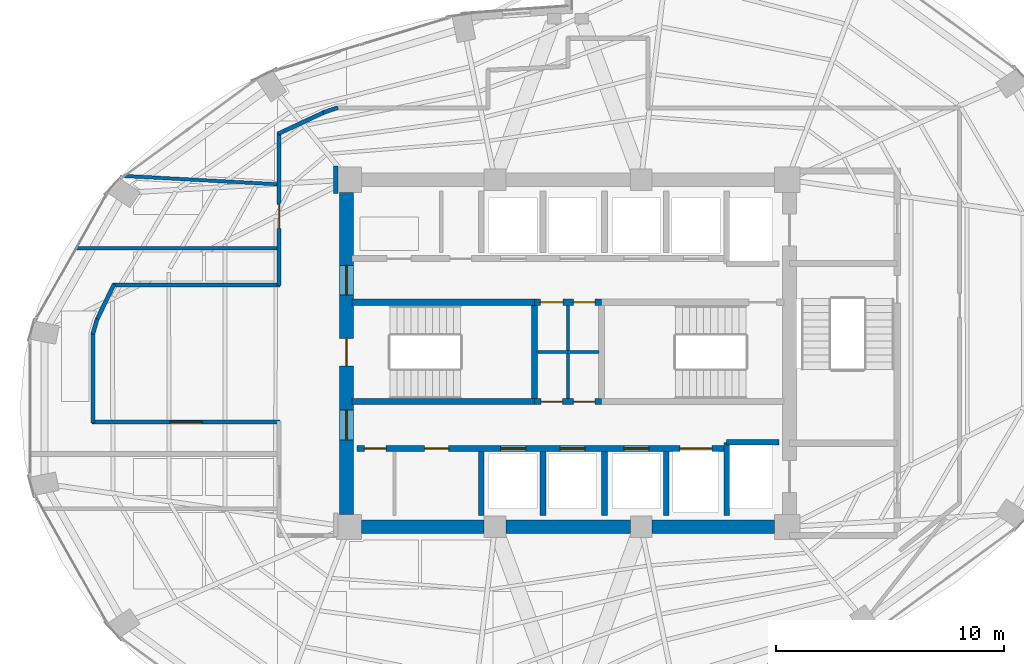
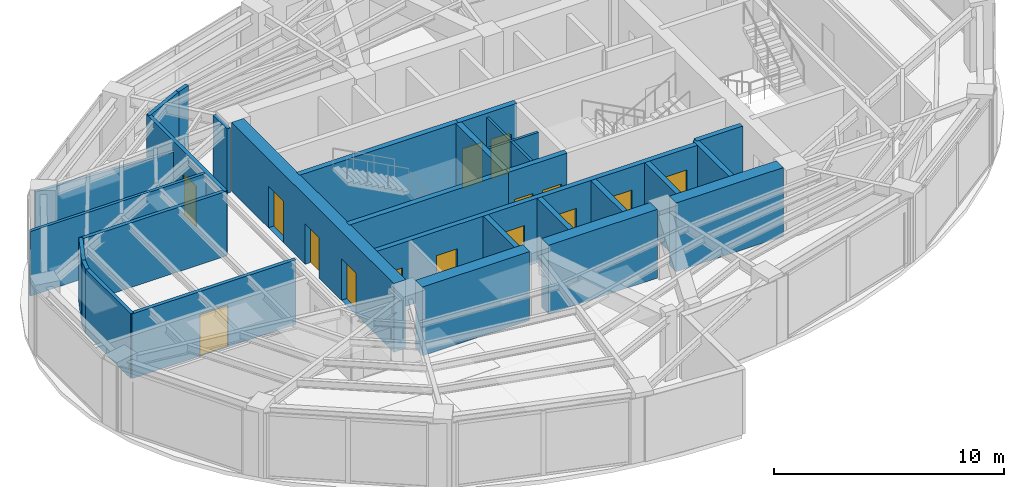
# One storey, part 16 of 20: 29 walls, 15 doors, 15 openings.
"""IFC4 building model written with IfcOpenShell, lengths in metres."""

from ifc_helpers import new_model, si_unit, direction, frame, frame_2d, origin, place, context, subcontext, project, spatial, rectangle, extrude, material, layer, layer_set, type_object, element, fill, save


model = new_model("IFC4")

# Units and contexts
model_context = context("Model", 3, precision=1e-05, world=origin(), true_north=direction((0.0, 1.0)))
body_context = subcontext(model_context, "Body", "Model", "MODEL_VIEW")
ifc_project = project(units=[si_unit("LENGTHUNIT", "METRE"), si_unit("AREAUNIT", "SQUARE_METRE"), si_unit("VOLUMEUNIT", "CUBIC_METRE"), si_unit("PLANEANGLEUNIT", "RADIAN"), si_unit("MASSUNIT", "GRAM", prefix="KILO")], contexts=[model_context])

# Site, building, storey
site_placement = place(None, origin())
site = spatial("IfcSite", under=ifc_project, at=site_placement, CompositionType="ELEMENT")
building_placement = place(site_placement, origin())
building = spatial("IfcBuilding", under=site, at=building_placement, Name="Lazwardi Medical Tower", CompositionType="ELEMENT")
storey_placement = place(building_placement, frame((0.0, 0.0, 182.06396484375)))
storey = spatial("IfcBuildingStorey", under=building, at=storey_placement, Name="L47", CompositionType="ELEMENT", Elevation=182.06396484375)

# Walls
ifc_material_1 = material(Name="Fire-rated gypsum board on steel stud", Category="steel")
ifc_layer_1 = layer(ifc_material_1, 0.179931640625)
ifc_layer_set_1 = layer_set([ifc_layer_1], Name="Fire-rated gypsum board on steel stud")
wall_type_1 = type_object("IfcWallType", Name="WL-COR-180", PredefinedType="PARTITIONING", material=ifc_layer_set_1)
wall_1_placement = place(storey_placement, frame((15.350341796875, 29.435791015625, 0.0), z_axis=(0.0, 0.0, 1.0), x_axis=(0.436196025907, 0.899851669434, 0.0)))
element("IfcWall", 1, at=wall_1_placement, inside=storey, type_object=wall_type_1, Name="L47 Corridor partition 1", PredefinedType="PARTITIONING", context=body_context, shape_type="SweptSolid", body=[
    extrude(rectangle(XDim=1.778076171875, YDim=0.179931640625, at=frame_2d((0.88916015625, 0.0))), origin(), (0.0, 0.0, 1.0), 3.427978515625),
])
wall_2_placement = place(storey_placement, frame((16.068359375, 31.0, 0.0), z_axis=(0.0, 0.0, 1.0), x_axis=(1.0, 0.0, 0.0)))
element("IfcWall", 2, at=wall_2_placement, inside=storey, type_object=wall_type_1, Name="L47 Corridor partition 2", PredefinedType="PARTITIONING", context=body_context, shape_type="SweptSolid", body=[
    extrude(rectangle(XDim=7.321533203125, YDim=0.179931640625, at=frame_2d((3.66064453125, 0.0))), origin(), (0.0, 0.0, 1.0), 3.427978515625),
])

# Wall, opening, door
wall_3_placement = place(storey_placement, frame((23.35009765625, 30.9599609375, 0.0), z_axis=(0.0, 0.0, 1.0), x_axis=(0.0, 1.0, 0.0)))
wall_3 = element("IfcWall", 3, at=wall_3_placement, inside=storey, type_object=wall_type_1, Name="L47 Corridor partition 3", PredefinedType="PARTITIONING", context=body_context, shape_type="SweptSolid", body=[
    extrude(rectangle(XDim=6.7138671875, YDim=0.179931640625, at=frame_2d((3.35693359375, 0.0))), origin(), (0.0, 0.0, 1.0), 3.427978515625),
])
opening_1_placement = place(wall_3_placement, frame((2.51708984375, 0.0, 0.0)))
opening_1 = element("IfcOpeningElement", 4, at=opening_1_placement, cuts=wall_3, Name="Opening D-L47-016", PredefinedType="OPENING", context=body_context, shape_type="SweptSolid", body=[
    extrude(rectangle(XDim=1.050048828125, YDim=2.14990234375, at=frame_2d((0.52490234375, 1.074951171875))), frame((0.0, 0.099853515625, 0.0), z_axis=(0.0, -1.0, 0.0), x_axis=(1.0, 0.0, 0.0)), (0.0, 0.0, 1.0), 0.199951171875),
])
ifc_material_2 = material(Name="Anti-microbial laminate hospital leaf")
door_type_1 = type_object("IfcDoorType", Name="DR-CLN-1050", OperationType="NOTDEFINED", PredefinedType="DOOR", material=ifc_material_2)
door_1_placement = place(opening_1_placement, origin())
door_1 = element("IfcDoor", 5, at=door_1_placement, inside=storey, type_object=door_type_1, Name="L47 Outpatient Clinic Door 04", OperationType="SINGLE_SWING_LEFT", OverallHeight=2.14990234375, OverallWidth=1.050048828125, PredefinedType="DOOR", context=body_context, shape_type="SweptSolid", body=[
    extrude(rectangle(XDim=1.050048828125, YDim=2.14990234375, at=frame_2d((0.52490234375, 1.074951171875))), frame((0.0, 0.02490234375, 0.0), z_axis=(0.0, -1.0, 0.0), x_axis=(1.0, 0.0, 0.0)), (0.0, 0.0, 1.0), 0.050048828125),
])
fill(opening_1, door_1)

# Walls
wall_4_placement = place(storey_placement, frame((23.313720703125, 37.616943359375, 0.0), z_axis=(0.0, 0.0, 1.0), x_axis=(0.905731790856, 0.423851298255, 0.0)))
element("IfcWall", 6, at=wall_4_placement, inside=storey, type_object=wall_type_1, Name="L47 Corridor partition 4", PredefinedType="PARTITIONING", context=body_context, shape_type="SweptSolid", body=[
    extrude(rectangle(XDim=2.255126953125, YDim=0.179931640625, at=frame_2d((1.12744140625, 0.0))), origin(), (0.0, 0.0, 1.0), 3.427978515625),
])
wall_5_placement = place(storey_placement, frame((25.2822265625, 38.54248046875, 0.0), z_axis=(0.0, 0.0, 1.0), x_axis=(0.94508059942, 0.326837361085, 0.0)))
element("IfcWall", 7, at=wall_5_placement, inside=storey, type_object=wall_type_1, Name="L47 Corridor partition 5", PredefinedType="PARTITIONING", context=body_context, shape_type="SweptSolid", body=[
    extrude(rectangle(XDim=0.67529296875, YDim=0.179931640625, at=frame_2d((0.337646484375, 0.0))), origin(), (0.0, 0.0, 1.0), 3.427978515625),
])
wall_6_placement = place(storey_placement, frame((25.830078125, 36.2099609375, 0.0), z_axis=(0.0, 0.0, 1.0), x_axis=(0.0, -1.0, 0.0)))
element("IfcWall", 8, at=wall_6_placement, inside=storey, type_object=wall_type_1, Name="L47 Corridor partition 15", PredefinedType="PARTITIONING", context=body_context, shape_type="SweptSolid", body=[
    extrude(rectangle(XDim=1.219970703125, YDim=0.179931640625, at=frame_2d((0.60986328125, 0.0))), origin(), (0.0, 0.0, 1.0), 3.427978515625),
])

# Wall, opening, door
wall_7_placement = place(storey_placement, frame((23.389892578125, 25.0, 0.0), z_axis=(0.0, 0.0, 1.0), x_axis=(-1.0, 0.0, 0.0)))
wall_7 = element("IfcWall", 9, at=wall_7_placement, inside=storey, type_object=wall_type_1, Name="L47 Corridor partition 19", PredefinedType="PARTITIONING", context=body_context, shape_type="SweptSolid", body=[
    extrude(rectangle(XDim=8.22998046875, YDim=0.179931640625, at=frame_2d((4.114990234375, 0.0))), origin(), (0.0, 0.0, 1.0), 3.427978515625),
])
opening_2_placement = place(wall_7_placement, frame((3.4150390625, 0.0, 0.0)))
opening_2 = element("IfcOpeningElement", 10, at=opening_2_placement, cuts=wall_7, Name="Opening D-L47-017", PredefinedType="OPENING", context=body_context, shape_type="SweptSolid", body=[
    extrude(rectangle(XDim=1.39990234375, YDim=2.199951171875, at=frame_2d((0.699951171875, 1.10009765625))), frame((0.0, 0.099853515625, 0.0), z_axis=(0.0, -1.0, 0.0), x_axis=(1.0, 0.0, 0.0)), (0.0, 0.0, 1.0), 0.199951171875),
])
door_type_2 = type_object("IfcDoorType", Name="DR-BED-1400", OperationType="NOTDEFINED", PredefinedType="DOOR", material=ifc_material_2)
door_2_placement = place(opening_2_placement, origin())
door_2 = element("IfcDoor", 11, at=door_2_placement, inside=storey, type_object=door_type_2, Name="L47 Rehabilitation Gymnasium Door 05", OperationType="SINGLE_SWING_RIGHT", OverallHeight=2.199951171875, OverallWidth=1.39990234375, PredefinedType="DOOR", context=body_context, shape_type="SweptSolid", body=[
    extrude(rectangle(XDim=1.39990234375, YDim=2.199951171875, at=frame_2d((0.699951171875, 1.10009765625))), frame((0.0, 0.02490234375, 0.0), z_axis=(0.0, -1.0, 0.0), x_axis=(1.0, 0.0, 0.0)), (0.0, 0.0, 1.0), 0.050048828125),
])
fill(opening_2, door_2)

# Walls
wall_8_placement = place(storey_placement, frame((15.199951171875, 24.9599609375, 0.0), z_axis=(0.0, 0.0, 1.0), x_axis=(0.0, 1.0, 0.0)))
element("IfcWall", 12, at=wall_8_placement, inside=storey, type_object=wall_type_1, Name="L47 Corridor partition 20", PredefinedType="PARTITIONING", context=body_context, shape_type="SweptSolid", body=[
    extrude(rectangle(XDim=3.961181640625, YDim=0.179931640625, at=frame_2d((1.98046875, 0.0))), origin(), (0.0, 0.0, 1.0), 3.427978515625),
])
wall_9_placement = place(storey_placement, frame((15.189208984375, 28.842529296875, 0.0), z_axis=(0.0, 0.0, 1.0), x_axis=(0.272862960331, 0.962052911684, 0.0)))
element("IfcWall", 13, at=wall_9_placement, inside=storey, type_object=wall_type_1, Name="L47 Corridor partition 21", PredefinedType="PARTITIONING", context=body_context, shape_type="SweptSolid", body=[
    extrude(rectangle(XDim=0.6943359375, YDim=0.179931640625, at=frame_2d((0.34716796875, 0.0))), origin(), (0.0, 0.0, 1.0), 3.427978515625),
])

# Wall, openings, doors
ifc_material_3 = material(Name="Concrete C60/75", Category="concrete")
ifc_layer_2 = layer(ifc_material_3, 0.60009765625)
ifc_layer_set_2 = layer_set([ifc_layer_2], Name="Concrete C60/75")
wall_type_2 = type_object("IfcWallType", Name="WL-CORE-600", PredefinedType="SHEAR", material=ifc_layer_set_2)
wall_10_placement = place(storey_placement, frame((26.300048828125, 20.949951171875, 0.0), z_axis=(0.0, 0.0, 1.0), x_axis=(0.0, 1.0, 0.0)))
wall_10 = element("IfcWall", 14, at=wall_10_placement, inside=storey, type_object=wall_type_2, Name="Core wall CW-S3 west L47", PredefinedType="SHEAR", context=body_context, shape_type="SweptSolid", body=[
    extrude(rectangle(XDim=14.10009765625, YDim=0.60009765625, at=frame_2d((7.050048828125, 0.0))), origin(), (0.0, 0.0, 1.0), 3.64794921875),
])
opening_3_placement = place(wall_10_placement, frame((6.5, 0.0, 0.0)))
opening_3 = element("IfcOpeningElement", 15, at=opening_3_placement, cuts=wall_10, Name="Opening D-L47-018", PredefinedType="OPENING", context=body_context, shape_type="SweptSolid", body=[
    extrude(rectangle(XDim=1.199951171875, YDim=2.14990234375, at=frame_2d((0.60009765625, 1.074951171875))), frame((0.0, 0.31005859375, 0.0), z_axis=(0.0, -1.0, 0.0), x_axis=(1.0, 0.0, 0.0)), (0.0, 0.0, 1.0), 0.6201171875),
])
opening_4_placement = place(wall_10_placement, frame((9.60009765625, 0.0, 0.0)))
opening_4 = element("IfcOpeningElement", 16, at=opening_4_placement, cuts=wall_10, Name="Opening D-L47-011", PredefinedType="OPENING", context=body_context, shape_type="SweptSolid", body=[
    extrude(rectangle(XDim=1.300048828125, YDim=2.199951171875, at=frame_2d((0.64990234375, 1.10009765625))), frame((0.0, 0.31005859375, 0.0), z_axis=(0.0, -1.0, 0.0), x_axis=(1.0, 0.0, 0.0)), (0.0, 0.0, 1.0), 0.6201171875),
])
opening_5_placement = place(wall_10_placement, frame((3.260009765625, 0.0, 0.0)))
opening_5 = element("IfcOpeningElement", 17, at=opening_5_placement, cuts=wall_10, Name="Opening D-L47-012", PredefinedType="OPENING", context=body_context, shape_type="SweptSolid", body=[
    extrude(rectangle(XDim=1.300048828125, YDim=2.199951171875, at=frame_2d((0.64990234375, 1.10009765625))), frame((0.0, 0.31005859375, 0.0), z_axis=(0.0, -1.0, 0.0), x_axis=(1.0, 0.0, 0.0)), (0.0, 0.0, 1.0), 0.6201171875),
])
ifc_material_4 = material(Name="Fire-rated steel leaf and frame", Category="steel")
door_type_3 = type_object("IfcDoorType", Name="DR-FFL-1300", OperationType="NOTDEFINED", PredefinedType="DOOR", material=ifc_material_4)
door_3_placement = place(opening_4_placement, origin())
door_3 = element("IfcDoor", 18, at=door_3_placement, inside=storey, type_object=door_type_3, Name="L47 North Lift Lobby Door", OperationType="SINGLE_SWING_LEFT", OverallHeight=2.199951171875, OverallWidth=1.300048828125, PredefinedType="DOOR", context=body_context, shape_type="SweptSolid", body=[
    extrude(rectangle(XDim=1.300048828125, YDim=2.199951171875, at=frame_2d((0.64990234375, 1.10009765625))), frame((0.0, 0.02490234375, 0.0), z_axis=(0.0, -1.0, 0.0), x_axis=(1.0, 0.0, 0.0)), (0.0, 0.0, 1.0), 0.050048828125),
])
fill(opening_4, door_3)
door_4_placement = place(opening_5_placement, origin())
door_4 = element("IfcDoor", 19, at=door_4_placement, inside=storey, type_object=door_type_3, Name="L47 South Lift Lobby Door", OperationType="SINGLE_SWING_RIGHT", OverallHeight=2.199951171875, OverallWidth=1.300048828125, PredefinedType="DOOR", context=body_context, shape_type="SweptSolid", body=[
    extrude(rectangle(XDim=1.300048828125, YDim=2.199951171875, at=frame_2d((0.64990234375, 1.10009765625))), frame((0.0, 0.02490234375, 0.0), z_axis=(0.0, -1.0, 0.0), x_axis=(1.0, 0.0, 0.0)), (0.0, 0.0, 1.0), 0.050048828125),
])
fill(opening_5, door_4)
door_type_4 = type_object("IfcDoorType", Name="DR-STR-1200", OperationType="NOTDEFINED", PredefinedType="DOOR", material=ifc_material_4)
door_5_placement = place(opening_3_placement, origin())
door_5 = element("IfcDoor", 20, at=door_5_placement, inside=storey, type_object=door_type_4, Name="L47 Exit Stair ST1 Door", OperationType="SINGLE_SWING_LEFT", OverallHeight=2.14990234375, OverallWidth=1.199951171875, PredefinedType="DOOR", context=body_context, shape_type="SweptSolid", body=[
    extrude(rectangle(XDim=1.199951171875, YDim=2.14990234375, at=frame_2d((0.60009765625, 1.074951171875))), frame((0.0, 0.02490234375, 0.0), z_axis=(0.0, -1.0, 0.0), x_axis=(1.0, 0.0, 0.0)), (0.0, 0.0, 1.0), 0.050048828125),
])
fill(opening_3, door_5)

# Walls
wall_11_placement = place(storey_placement, frame((26.949951171875, 20.39990234375, 0.0), z_axis=(0.0, 0.0, 1.0), x_axis=(1.0, 0.0, 0.0)))
element("IfcWall", 21, at=wall_11_placement, inside=storey, type_object=wall_type_2, Name="Core wall CW-S3 S1 L47", PredefinedType="SHEAR", context=body_context, shape_type="SweptSolid", body=[
    extrude(rectangle(XDim=5.375, YDim=0.60009765625, at=frame_2d((2.6875, 0.0))), origin(), (0.0, 0.0, 1.0), 3.64794921875),
])
wall_12_placement = place(storey_placement, frame((33.27490234375, 20.39990234375, 0.0), z_axis=(0.0, 0.0, 1.0), x_axis=(1.0, 0.0, 0.0)))
element("IfcWall", 22, at=wall_12_placement, inside=storey, type_object=wall_type_2, Name="Core wall CW-S3 S2 L47", PredefinedType="SHEAR", context=body_context, shape_type="SweptSolid", body=[
    extrude(rectangle(XDim=5.4501953125, YDim=0.60009765625, at=frame_2d((2.72509765625, 0.0))), origin(), (0.0, 0.0, 1.0), 3.64794921875),
])
wall_13_placement = place(storey_placement, frame((39.675048828125, 20.39990234375, 0.0), z_axis=(0.0, 0.0, 1.0), x_axis=(1.0, 0.0, 0.0)))
element("IfcWall", 23, at=wall_13_placement, inside=storey, type_object=wall_type_2, Name="Core wall CW-S3 S3 L47", PredefinedType="SHEAR", context=body_context, shape_type="SweptSolid", body=[
    extrude(rectangle(XDim=5.375, YDim=0.60009765625, at=frame_2d((2.6875, 0.0))), origin(), (0.0, 0.0, 1.0), 3.64794921875),
])
ifc_material_5 = material(Name="Moisture-resistant gypsum board partition")
ifc_layer_3 = layer(ifc_material_5, 0.125)
ifc_layer_set_3 = layer_set([ifc_layer_3], Name="Moisture-resistant gypsum board partition")
wall_type_3 = type_object("IfcWallType", Name="WL-ENS-125", PredefinedType="PARTITIONING", material=ifc_layer_set_3)
wall_14_placement = place(storey_placement, frame((34.64990234375, 28.06005859375, 0.0), z_axis=(0.0, 0.0, 1.0), x_axis=(1.0, 0.0, 0.0)))
element("IfcWall", 24, at=wall_14_placement, inside=storey, type_object=wall_type_3, Name="L47 Core 4-way H divider", PredefinedType="PARTITIONING", context=body_context, shape_type="SweptSolid", body=[
    extrude(rectangle(XDim=2.7001953125, YDim=0.125, at=frame_2d((1.35009765625, 0.0))), origin(), (0.0, 0.0, 1.0), 3.427978515625),
])
wall_15_placement = place(storey_placement, frame((36.0, 26.02001953125, 0.0), z_axis=(0.0, 0.0, 1.0), x_axis=(0.0, 1.0, 0.0)))
element("IfcWall", 25, at=wall_15_placement, inside=storey, type_object=wall_type_3, Name="L47 Core 4-way V divider", PredefinedType="PARTITIONING", context=body_context, shape_type="SweptSolid", body=[
    extrude(rectangle(XDim=4.080078125, YDim=0.125, at=frame_2d((2.0400390625, 0.0))), origin(), (0.0, 0.0, 1.0), 3.427978515625),
])

# Wall, openings, doors
ifc_material_6 = material(Name="Autoclaved aerated concrete blockwork", Category="masonry")
ifc_layer_4 = layer(ifc_material_6, 0.25)
ifc_layer_set_4 = layer_set([ifc_layer_4], Name="Autoclaved aerated concrete blockwork")
wall_type_4 = type_object("IfcWallType", Name="WL-SHAFT-250", PredefinedType="SOLIDWALL", material=ifc_layer_set_4)
wall_16_placement = place(storey_placement, frame((26.75, 23.830078125, 0.0), z_axis=(0.0, 0.0, 1.0), x_axis=(1.0, 0.0, 0.0)))
wall_16 = element("IfcWall", 26, at=wall_16_placement, inside=storey, type_object=wall_type_4, Name="L47 South lift bank front wall", PredefinedType="SOLIDWALL", context=body_context, shape_type="SweptSolid", body=[
    extrude(rectangle(XDim=16.199951171875, YDim=0.25, at=frame_2d((8.10009765625, 0.0))), origin(), (0.0, 0.0, 1.0), 3.427978515625),
])
opening_6_placement = place(wall_16_placement, frame((0.3349609375, 0.0, 0.0)))
opening_6 = element("IfcOpeningElement", 27, at=opening_6_placement, cuts=wall_16, Name="Opening D-L47-007", PredefinedType="OPENING", context=body_context, shape_type="SweptSolid", body=[
    extrude(rectangle(XDim=0.949951171875, YDim=2.10009765625, at=frame_2d((0.47509765625, 1.050048828125))), frame((0.0, 0.135009765625, 0.0), z_axis=(0.0, -1.0, 0.0), x_axis=(1.0, 0.0, 0.0)), (0.0, 0.0, 1.0), 0.27001953125),
])
opening_7_placement = place(wall_16_placement, frame((2.97509765625, 0.0, 0.0)))
opening_7 = element("IfcOpeningElement", 28, at=opening_7_placement, cuts=wall_16, Name="Opening D-L47-008", PredefinedType="OPENING", context=body_context, shape_type="SweptSolid", body=[
    extrude(rectangle(XDim=1.050048828125, YDim=2.14990234375, at=frame_2d((0.52490234375, 1.074951171875))), frame((0.0, 0.135009765625, 0.0), z_axis=(0.0, -1.0, 0.0), x_axis=(1.0, 0.0, 0.0)), (0.0, 0.0, 1.0), 0.27001953125),
])
opening_8_placement = place(wall_16_placement, frame((6.300048828125, 0.0, 0.0)))
opening_8 = element("IfcOpeningElement", 29, at=opening_8_placement, cuts=wall_16, Name="Opening LD-L47-006", PredefinedType="OPENING", context=body_context, shape_type="SweptSolid", body=[
    extrude(rectangle(XDim=1.10009765625, YDim=2.199951171875, at=frame_2d((0.550048828125, 1.10009765625))), frame((0.0, 0.135009765625, 0.0), z_axis=(0.0, -1.0, 0.0), x_axis=(1.0, 0.0, 0.0)), (0.0, 0.0, 1.0), 0.27001953125),
])
opening_9_placement = place(wall_16_placement, frame((8.89990234375, 0.0, 0.0)))
opening_9 = element("IfcOpeningElement", 30, at=opening_9_placement, cuts=wall_16, Name="Opening LD-L47-007", PredefinedType="OPENING", context=body_context, shape_type="SweptSolid", body=[
    extrude(rectangle(XDim=1.10009765625, YDim=2.199951171875, at=frame_2d((0.550048828125, 1.10009765625))), frame((0.0, 0.135009765625, 0.0), z_axis=(0.0, -1.0, 0.0), x_axis=(1.0, 0.0, 0.0)), (0.0, 0.0, 1.0), 0.27001953125),
])
opening_10_placement = place(wall_16_placement, frame((11.699951171875, 0.0, 0.0)))
opening_10 = element("IfcOpeningElement", 31, at=opening_10_placement, cuts=wall_16, Name="Opening LD-L47-010", PredefinedType="OPENING", context=body_context, shape_type="SweptSolid", body=[
    extrude(rectangle(XDim=1.10009765625, YDim=2.199951171875, at=frame_2d((0.550048828125, 1.10009765625))), frame((0.0, 0.135009765625, 0.0), z_axis=(0.0, -1.0, 0.0), x_axis=(1.0, 0.0, 0.0)), (0.0, 0.0, 1.0), 0.27001953125),
])
opening_11_placement = place(wall_16_placement, frame((14.14990234375, 0.0, 0.0)))
opening_11 = element("IfcOpeningElement", 32, at=opening_11_placement, cuts=wall_16, Name="Opening LD-L47-003", PredefinedType="OPENING", context=body_context, shape_type="SweptSolid", body=[
    extrude(rectangle(XDim=1.39990234375, YDim=2.300048828125, at=frame_2d((0.699951171875, 1.14990234375))), frame((0.0, 0.135009765625, 0.0), z_axis=(0.0, -1.0, 0.0), x_axis=(1.0, 0.0, 0.0)), (0.0, 0.0, 1.0), 0.27001953125),
])
door_6_placement = place(opening_7_placement, origin())
door_6 = element("IfcDoor", 33, at=door_6_placement, inside=storey, type_object=door_type_1, Name="L47 Medication Door", OperationType="SINGLE_SWING_RIGHT", OverallHeight=2.14990234375, OverallWidth=1.050048828125, PredefinedType="DOOR", context=body_context, shape_type="SweptSolid", body=[
    extrude(rectangle(XDim=1.050048828125, YDim=2.14990234375, at=frame_2d((0.52490234375, 1.074951171875))), frame((0.0, 0.02490234375, 0.0), z_axis=(0.0, -1.0, 0.0), x_axis=(1.0, 0.0, 0.0)), (0.0, 0.0, 1.0), 0.050048828125),
])
fill(opening_7, door_6)
ifc_material_7 = material(Name="Moisture-resistant laminate door leaf")
door_type_5 = type_object("IfcDoorType", Name="DR-ENS-950", OperationType="NOTDEFINED", PredefinedType="DOOR", material=ifc_material_7)
door_7_placement = place(opening_6_placement, origin())
door_7 = element("IfcDoor", 34, at=door_7_placement, inside=storey, type_object=door_type_5, Name="L47 Utility Door", OperationType="SINGLE_SWING_LEFT", OverallHeight=2.10009765625, OverallWidth=0.949951171875, PredefinedType="DOOR", context=body_context, shape_type="SweptSolid", body=[
    extrude(rectangle(XDim=0.949951171875, YDim=2.10009765625, at=frame_2d((0.47509765625, 1.050048828125))), frame((0.0, 0.02490234375, 0.0), z_axis=(0.0, -1.0, 0.0), x_axis=(1.0, 0.0, 0.0)), (0.0, 0.0, 1.0), 0.050048828125),
])
fill(opening_6, door_7)
ifc_material_8 = material(Name="Brushed bronze stainless steel landing door", Category="steel")
door_type_6 = type_object("IfcDoorType", Name="DR-LFT-1100", OperationType="NOTDEFINED", PredefinedType="DOOR", material=ifc_material_8)
door_8_placement = place(opening_8_placement, origin())
door_8 = element("IfcDoor", 35, at=door_8_placement, inside=storey, type_object=door_type_6, Name="L47 Lift Landing Door PL-07", OperationType="SLIDING_TO_LEFT", OverallHeight=2.199951171875, OverallWidth=1.10009765625, PredefinedType="DOOR", context=body_context, shape_type="SweptSolid", body=[
    extrude(rectangle(XDim=1.10009765625, YDim=2.199951171875, at=frame_2d((0.550048828125, 1.10009765625))), frame((0.0, 0.02490234375, 0.0), z_axis=(0.0, -1.0, 0.0), x_axis=(1.0, 0.0, 0.0)), (0.0, 0.0, 1.0), 0.050048828125),
])
fill(opening_8, door_8)
door_9_placement = place(opening_9_placement, origin())
door_9 = element("IfcDoor", 36, at=door_9_placement, inside=storey, type_object=door_type_6, Name="L47 Lift Landing Door PL-08", OperationType="SLIDING_TO_LEFT", OverallHeight=2.199951171875, OverallWidth=1.10009765625, PredefinedType="DOOR", context=body_context, shape_type="SweptSolid", body=[
    extrude(rectangle(XDim=1.10009765625, YDim=2.199951171875, at=frame_2d((0.550048828125, 1.10009765625))), frame((0.0, 0.02490234375, 0.0), z_axis=(0.0, -1.0, 0.0), x_axis=(1.0, 0.0, 0.0)), (0.0, 0.0, 1.0), 0.050048828125),
])
fill(opening_9, door_9)
door_10_placement = place(opening_10_placement, origin())
door_10 = element("IfcDoor", 37, at=door_10_placement, inside=storey, type_object=door_type_6, Name="L47 Lift Landing Door PL-11", OperationType="SLIDING_TO_LEFT", OverallHeight=2.199951171875, OverallWidth=1.10009765625, PredefinedType="DOOR", context=body_context, shape_type="SweptSolid", body=[
    extrude(rectangle(XDim=1.10009765625, YDim=2.199951171875, at=frame_2d((0.550048828125, 1.10009765625))), frame((0.0, 0.02490234375, 0.0), z_axis=(0.0, -1.0, 0.0), x_axis=(1.0, 0.0, 0.0)), (0.0, 0.0, 1.0), 0.050048828125),
])
fill(opening_10, door_10)
ifc_material_9 = material(Name="Brushed stainless steel bed-lift landing door", Category="steel")
door_type_7 = type_object("IfcDoorType", Name="DR-LFT-1400", OperationType="NOTDEFINED", PredefinedType="DOOR", material=ifc_material_9)
door_11_placement = place(opening_11_placement, origin())
door_11 = element("IfcDoor", 38, at=door_11_placement, inside=storey, type_object=door_type_7, Name="L47 Lift Landing Door FL-03", OperationType="SLIDING_TO_LEFT", OverallHeight=2.300048828125, OverallWidth=1.39990234375, PredefinedType="DOOR", context=body_context, shape_type="SweptSolid", body=[
    extrude(rectangle(XDim=1.39990234375, YDim=2.300048828125, at=frame_2d((0.699951171875, 1.14990234375))), frame((0.0, 0.02490234375, 0.0), z_axis=(0.0, -1.0, 0.0), x_axis=(1.0, 0.0, 0.0)), (0.0, 0.0, 1.0), 0.050048828125),
])
fill(opening_11, door_11)

# Walls
wall_17_placement = place(storey_placement, frame((42.949951171875, 20.89990234375, 0.0), z_axis=(0.0, 0.0, 1.0), x_axis=(0.0, 1.0, 0.0)))
element("IfcWall", 39, at=wall_17_placement, inside=storey, type_object=wall_type_4, Name="L47 FL-02 West shaft wall", PredefinedType="SOLIDWALL", context=body_context, shape_type="SweptSolid", body=[
    extrude(rectangle(XDim=3.2001953125, YDim=0.25, at=frame_2d((1.60009765625, 0.0))), origin(), (0.0, 0.0, 1.0), 3.427978515625),
])
wall_18_placement = place(storey_placement, frame((42.949951171875, 24.10009765625, 0.0), z_axis=(0.0, 0.0, 1.0), x_axis=(1.0, 0.0, 0.0)))
element("IfcWall", 40, at=wall_18_placement, inside=storey, type_object=wall_type_4, Name="L47 FL-02 North shaft wall", PredefinedType="SOLIDWALL", context=body_context, shape_type="SweptSolid", body=[
    extrude(rectangle(XDim=2.300048828125, YDim=0.25, at=frame_2d((1.14990234375, 0.0))), origin(), (0.0, 0.0, 1.0), 3.427978515625),
])
for number, where, z_axis, x_axis, name in (
    (41, (32.199951171875, 20.89990234375, 0.0), (0.0, 0.0, 1.0), (0.0, 1.0, 0.0), "L47 South hoistway divider"),
    (42, (34.89990234375, 20.89990234375, 0.0), (0.0, 0.0, 1.0), (0.0, 1.0, 0.0), "L47 South hoistway divider"),
    (43, (37.60009765625, 20.89990234375, 0.0), (0.0, 0.0, 1.0), (0.0, 1.0, 0.0), "L47 South hoistway divider"),
    (44, (40.300048828125, 20.89990234375, 0.0), (0.0, 0.0, 1.0), (0.0, 1.0, 0.0), "L47 South hoistway divider"),
):
    element("IfcWall", number, at=place(storey_placement, frame(where, z_axis=z_axis, x_axis=x_axis)), inside=storey, type_object=wall_type_4, Name=name, PredefinedType="SOLIDWALL", context=body_context, shape_type="SweptSolid", body=[
        extrude(rectangle(XDim=2.800048828125, YDim=0.25, at=frame_2d((1.39990234375, 0.0))), origin(), (0.0, 0.0, 1.0), 3.427978515625),
    ])
ifc_material_10 = material(Name="Concrete C50/60", Category="concrete")
ifc_layer_5 = layer(ifc_material_10, 0.27001953125)
ifc_layer_set_5 = layer_set([ifc_layer_5], Name="Concrete C50/60")
wall_type_5 = type_object("IfcWallType", Name="WL-STR-250", PredefinedType="SHEAR", material=ifc_layer_set_5)
wall_19_placement = place(storey_placement, frame((26.550048828125, 30.235107421875, 0.0), z_axis=(0.0, 0.0, 1.0), x_axis=(1.0, 0.0, 0.0)))
element("IfcWall", 45, at=wall_19_placement, inside=storey, type_object=wall_type_5, Name="L47 ST1 North shear shaft wall SW-S1", PredefinedType="SHEAR", context=body_context, shape_type="SweptSolid", body=[
    extrude(rectangle(XDim=7.98486328125, YDim=0.27001953125, at=frame_2d((3.992431640625, 0.0))), origin(), (0.0, 0.0, 1.0), 3.64794921875),
])

# Wall, openings, doors
wall_20_placement = place(storey_placement, frame((34.534912109375, 30.235107421875, 0.0), z_axis=(0.0, 0.0, 1.0), x_axis=(1.0, 0.0, 0.0)))
wall_20 = element("IfcWall", 46, at=wall_20_placement, inside=storey, type_object=wall_type_5, Name="L47 Core service North shear wall SW-S1", PredefinedType="SHEAR", context=body_context, shape_type="SweptSolid", body=[
    extrude(rectangle(XDim=2.93017578125, YDim=0.27001953125, at=frame_2d((1.465087890625, 0.0))), origin(), (0.0, 0.0, 1.0), 3.64794921875),
])
opening_12_placement = place(wall_20_placement, frame((0.2548828125, 0.0, 0.0)))
opening_12 = element("IfcOpeningElement", 47, at=opening_12_placement, cuts=wall_20, Name="Opening D-L47-003", PredefinedType="OPENING", context=body_context, shape_type="SweptSolid", body=[
    extrude(rectangle(XDim=1.0, YDim=2.10009765625, at=frame_2d((0.5, 1.050048828125))), frame((0.0, 0.14501953125, 0.0), z_axis=(0.0, -1.0, 0.0), x_axis=(1.0, 0.0, 0.0)), (0.0, 0.0, 1.0), 0.2900390625),
])
opening_13_placement = place(wall_20_placement, frame((1.699951171875, 0.0, 0.0)))
opening_13 = element("IfcOpeningElement", 48, at=opening_13_placement, cuts=wall_20, Name="Opening D-L47-004", PredefinedType="OPENING", context=body_context, shape_type="SweptSolid", body=[
    extrude(rectangle(XDim=0.949951171875, YDim=2.10009765625, at=frame_2d((0.47509765625, 1.050048828125))), frame((0.0, 0.14501953125, 0.0), z_axis=(0.0, -1.0, 0.0), x_axis=(1.0, 0.0, 0.0)), (0.0, 0.0, 1.0), 0.2900390625),
])
door_type_8 = type_object("IfcDoorType", Name="DR-AWC-1000", OperationType="NOTDEFINED", PredefinedType="DOOR", material=ifc_material_7)
door_12_placement = place(opening_12_placement, origin())
door_12 = element("IfcDoor", 49, at=door_12_placement, inside=storey, type_object=door_type_8, Name="L47 Accessible WC Door", OperationType="SINGLE_SWING_LEFT", OverallHeight=2.10009765625, OverallWidth=1.0, PredefinedType="DOOR", context=body_context, shape_type="SweptSolid", body=[
    extrude(rectangle(XDim=1.0, YDim=2.10009765625, at=frame_2d((0.5, 1.050048828125))), frame((0.0, 0.02490234375, 0.0), z_axis=(0.0, -1.0, 0.0), x_axis=(1.0, 0.0, 0.0)), (0.0, 0.0, 1.0), 0.050048828125),
])
fill(opening_12, door_12)
door_13_placement = place(opening_13_placement, origin())
door_13 = element("IfcDoor", 50, at=door_13_placement, inside=storey, type_object=door_type_5, Name="L47 Clean Utility Door", OperationType="SINGLE_SWING_RIGHT", OverallHeight=2.10009765625, OverallWidth=0.949951171875, PredefinedType="DOOR", context=body_context, shape_type="SweptSolid", body=[
    extrude(rectangle(XDim=0.949951171875, YDim=2.10009765625, at=frame_2d((0.47509765625, 1.050048828125))), frame((0.0, 0.02490234375, 0.0), z_axis=(0.0, -1.0, 0.0), x_axis=(1.0, 0.0, 0.0)), (0.0, 0.0, 1.0), 0.050048828125),
])
fill(opening_13, door_13)

# Wall
wall_21_placement = place(storey_placement, frame((26.550048828125, 25.885009765625, 0.0), z_axis=(0.0, 0.0, 1.0), x_axis=(1.0, 0.0, 0.0)))
element("IfcWall", 51, at=wall_21_placement, inside=storey, type_object=wall_type_5, Name="L47 ST1 South shear shaft wall SW-S1", PredefinedType="SHEAR", context=body_context, shape_type="SweptSolid", body=[
    extrude(rectangle(XDim=7.98486328125, YDim=0.27001953125, at=frame_2d((3.992431640625, 0.0))), origin(), (0.0, 0.0, 1.0), 3.64794921875),
])

# Wall, openings, doors
wall_22_placement = place(storey_placement, frame((34.534912109375, 25.885009765625, 0.0), z_axis=(0.0, 0.0, 1.0), x_axis=(1.0, 0.0, 0.0)))
wall_22 = element("IfcWall", 52, at=wall_22_placement, inside=storey, type_object=wall_type_5, Name="L47 Core service South shear wall SW-S1", PredefinedType="SHEAR", context=body_context, shape_type="SweptSolid", body=[
    extrude(rectangle(XDim=2.93017578125, YDim=0.27001953125, at=frame_2d((1.465087890625, 0.0))), origin(), (0.0, 0.0, 1.0), 3.64794921875),
])
opening_14_placement = place(wall_22_placement, frame((0.280029296875, 0.0, 0.0)))
opening_14 = element("IfcOpeningElement", 53, at=opening_14_placement, cuts=wall_22, Name="Opening D-L47-001", PredefinedType="OPENING", context=body_context, shape_type="SweptSolid", body=[
    extrude(rectangle(XDim=0.949951171875, YDim=2.10009765625, at=frame_2d((0.47509765625, 1.050048828125))), frame((0.0, 0.14501953125, 0.0), z_axis=(0.0, -1.0, 0.0), x_axis=(1.0, 0.0, 0.0)), (0.0, 0.0, 1.0), 0.2900390625),
])
opening_15_placement = place(wall_22_placement, frame((1.699951171875, 0.0, 0.0)))
opening_15 = element("IfcOpeningElement", 54, at=opening_15_placement, cuts=wall_22, Name="Opening D-L47-002", PredefinedType="OPENING", context=body_context, shape_type="SweptSolid", body=[
    extrude(rectangle(XDim=0.949951171875, YDim=2.10009765625, at=frame_2d((0.47509765625, 1.050048828125))), frame((0.0, 0.14501953125, 0.0), z_axis=(0.0, -1.0, 0.0), x_axis=(1.0, 0.0, 0.0)), (0.0, 0.0, 1.0), 0.2900390625),
])
door_14_placement = place(opening_14_placement, origin())
door_14 = element("IfcDoor", 55, at=door_14_placement, inside=storey, type_object=door_type_5, Name="L47 Staff WC Door", OperationType="SINGLE_SWING_LEFT", OverallHeight=2.10009765625, OverallWidth=0.949951171875, PredefinedType="DOOR", context=body_context, shape_type="SweptSolid", body=[
    extrude(rectangle(XDim=0.949951171875, YDim=2.10009765625, at=frame_2d((0.47509765625, 1.050048828125))), frame((0.0, 0.02490234375, 0.0), z_axis=(0.0, -1.0, 0.0), x_axis=(1.0, 0.0, 0.0)), (0.0, 0.0, 1.0), 0.050048828125),
])
fill(opening_14, door_14)
door_15_placement = place(opening_15_placement, origin())
door_15 = element("IfcDoor", 56, at=door_15_placement, inside=storey, type_object=door_type_5, Name="L47 Comms Room Door", OperationType="SINGLE_SWING_RIGHT", OverallHeight=2.10009765625, OverallWidth=0.949951171875, PredefinedType="DOOR", context=body_context, shape_type="SweptSolid", body=[
    extrude(rectangle(XDim=0.949951171875, YDim=2.10009765625, at=frame_2d((0.47509765625, 1.050048828125))), frame((0.0, 0.02490234375, 0.0), z_axis=(0.0, -1.0, 0.0), x_axis=(1.0, 0.0, 0.0)), (0.0, 0.0, 1.0), 0.050048828125),
])
fill(opening_15, door_15)

# Walls
wall_23_placement = place(storey_placement, frame((34.534912109375, 26.02001953125, 0.0), z_axis=(0.0, 0.0, 1.0), x_axis=(0.0, 1.0, 0.0)))
element("IfcWall", 57, at=wall_23_placement, inside=storey, type_object=wall_type_5, Name="L47 ST1 East shear shaft wall SW-S1", PredefinedType="SHEAR", context=body_context, shape_type="SweptSolid", body=[
    extrude(rectangle(XDim=4.080078125, YDim=0.27001953125, at=frame_2d((2.0400390625, 0.0))), origin(), (0.0, 0.0, 1.0), 3.64794921875),
])
ifc_material_11 = material(Name="Acoustic gypsum board partition")
ifc_layer_6 = layer(ifc_material_11, 0.14990234375)
ifc_layer_set_6 = layer_set([ifc_layer_6], Name="Acoustic gypsum board partition")
wall_type_6 = type_object("IfcWallType", Name="WL-WRD-150", PredefinedType="PARTITIONING", material=ifc_layer_set_6)
wall_24_placement = place(storey_placement, frame((14.46923828125, 32.60009765625, 0.0), z_axis=(0.0, 0.0, 1.0), x_axis=(1.0, 0.0, 0.0)))
element("IfcWall", 58, at=wall_24_placement, inside=storey, type_object=wall_type_6, Name="L47 Room partition 3", PredefinedType="PARTITIONING", context=body_context, shape_type="SweptSolid", body=[
    extrude(rectangle(XDim=8.790771484375, YDim=0.14990234375, at=frame_2d((4.3955078125, 0.0))), origin(), (0.0, 0.0, 1.0), 3.427978515625),
])
wall_25_placement = place(storey_placement, frame((16.554443359375, 35.76806640625, 0.0), z_axis=(0.0, 0.0, 1.0), x_axis=(0.998529801792, -0.054205488039, 0.0)))
element("IfcWall", 59, at=wall_25_placement, inside=storey, type_object=wall_type_6, Name="L47 Room partition 4", PredefinedType="PARTITIONING", context=body_context, shape_type="SweptSolid", body=[
    extrude(rectangle(XDim=6.71533203125, YDim=0.14990234375, at=frame_2d((3.357666015625, 0.0))), origin(), (0.0, 0.0, 1.0), 2.863037109375),
])

save(model, "model.ifc")
